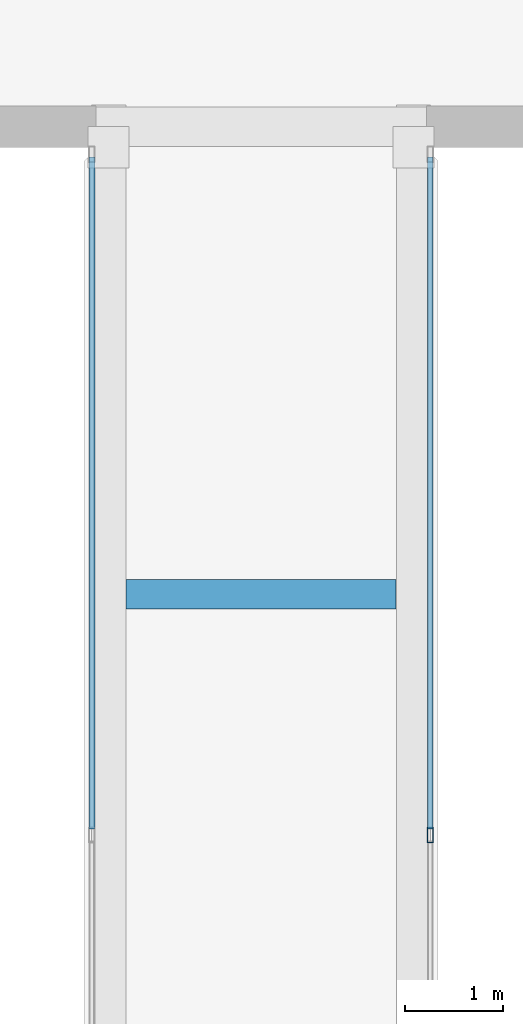
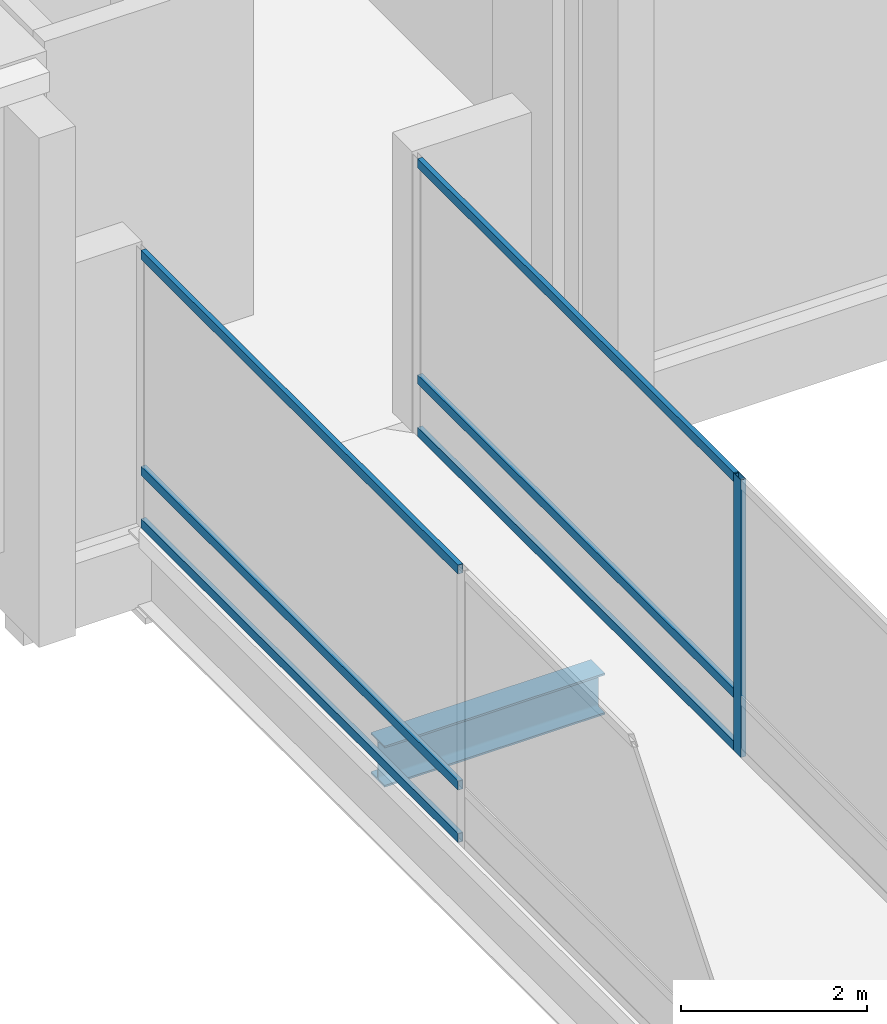
# One storey, part 29 of 220: 7 members, 1 beam, 2 elements without a shape of their own.
"""IFC4 building model written with IfcOpenShell, lengths in metres."""

from ifc_helpers import new_model, si_unit, direction, frame, origin, origin_2d, place, context, subcontext, project, spatial, hollow_rectangle, i_section, extrude, material, material_profile, profile_set, type_object, element, aggregate, save


model = new_model("IFC4")

# Units and contexts
model_context = context("Model", 3, precision=1e-05, world=origin(), true_north=direction((0.0, 1.0)))
body_context = subcontext(model_context, "Body", "Model", "MODEL_VIEW")
ifc_project = project(units=[si_unit("LENGTHUNIT", "METRE"), si_unit("AREAUNIT", "SQUARE_METRE"), si_unit("VOLUMEUNIT", "CUBIC_METRE"), si_unit("PLANEANGLEUNIT", "RADIAN"), si_unit("MASSUNIT", "GRAM", prefix="KILO")], contexts=[model_context])

# Site, building, storey
site_placement = place(None, origin())
site = spatial("IfcSite", under=ifc_project, at=site_placement, CompositionType="ELEMENT")
building_placement = place(site_placement, origin())
building = spatial("IfcBuilding", under=site, at=building_placement, Name="Cendralis Lancet Convention Centre", CompositionType="ELEMENT")
storey_placement = place(building_placement, frame((0.0, 0.0, 5.39990234375)))
storey = spatial("IfcBuildingStorey", under=building, at=storey_placement, Name="L01", CompositionType="ELEMENT", Elevation=5.39990234375)

# Curtain wall, member
ifc_material_1 = material(Name="Anodised bronze architectural aluminium", Category="aluminium")
curtain_wall_type = type_object("IfcCurtainWallType", Name="ARC-CW-BR01", PredefinedType="USERDEFINED", material=ifc_material_1)
curtain_wall_1_placement = place(storey_placement, origin())
curtain_wall_1 = element("IfcCurtainWall", 1, at=curtain_wall_1_placement, inside=storey, type_object=curtain_wall_type, Name="L01 Curtain Wall CW-BR1 #210", ObjectType="CURTAIN WALL", PredefinedType="USERDEFINED")
ifc_material_profile_1 = material_profile(ifc_material_1, hollow_rectangle(XDim=0.06005859375, YDim=0.159912109375, WallThickness=0.00390625, at=origin_2d()), Name="AL-MULL 60x160x4.0")
ifc_profile_set_1 = profile_set([ifc_material_profile_1], Name="Anodised bronze architectural aluminium")
member_type_1 = type_object("IfcMemberType", Name="ARC-CW-ML01", PredefinedType="MULLION", material=ifc_profile_set_1)
member_1_placement = place(storey_placement, frame((19.719970703125, 43.199951171875, 0.0), z_axis=(0.0, 0.0, 1.0), x_axis=(1.0, 0.0, 0.0)))
member_1 = element("IfcMember", 2, at=member_1_placement, type_object=member_type_1, Name="Mullion CW2-CW-BR1-L01-210-M1", PredefinedType="MULLION", context=body_context, shape_type="SweptSolid", body=[
    extrude(hollow_rectangle(XDim=0.06005859375, YDim=0.159912109375, WallThickness=0.00390625, at=origin_2d()), origin(), (0.0, 0.0, 1.0), 3.650146484375),
])

# Curtain wall, members
curtain_wall_2_placement = place(storey_placement, origin())
curtain_wall_2 = element("IfcCurtainWall", 3, at=curtain_wall_2_placement, inside=storey, type_object=curtain_wall_type, Name="L01 Curtain Wall CW-BR1 #209", ObjectType="CURTAIN WALL", PredefinedType="USERDEFINED")
ifc_material_profile_2 = material_profile(ifc_material_1, hollow_rectangle(XDim=0.06005859375, YDim=0.1201171875, WallThickness=0.00390625, at=origin_2d()), Name="AL-TRAN 60x120x4.0")
ifc_profile_set_2 = profile_set([ifc_material_profile_2], Name="Anodised bronze architectural aluminium")
member_type_2 = type_object("IfcMemberType", Name="ARC-CW-TR01", PredefinedType="USERDEFINED", material=ifc_profile_set_2)
member_2_placement = place(storey_placement, frame((16.280029296875, 43.260009765625, 0.06005859375), z_axis=(0.0, 1.0, 0.0), x_axis=(-1.0, 0.0, 0.0)))
member_2 = element("IfcMember", 4, at=member_2_placement, type_object=member_type_2, Name="Transom CW2-CW-BR1-L01-209-T1BOT", ObjectType="TRANSOM", PredefinedType="USERDEFINED", context=body_context, shape_type="SweptSolid", body=[
    extrude(hollow_rectangle(XDim=0.06005859375, YDim=0.1201171875, WallThickness=0.00390625, at=origin_2d()), origin(), (0.0, 0.0, 1.0), 6.830078125),
])
member_3_placement = place(storey_placement, frame((16.280029296875, 43.260009765625, 0.75), z_axis=(0.0, 1.0, 0.0), x_axis=(-1.0, 0.0, 0.0)))
member_3 = element("IfcMember", 5, at=member_3_placement, type_object=member_type_2, Name="Transom CW2-CW-BR1-L01-209-T1MID", ObjectType="TRANSOM", PredefinedType="USERDEFINED", context=body_context, shape_type="SweptSolid", body=[
    extrude(hollow_rectangle(XDim=0.06005859375, YDim=0.1201171875, WallThickness=0.00390625, at=origin_2d()), origin(), (0.0, 0.0, 1.0), 6.830078125),
])
member_4_placement = place(storey_placement, frame((16.280029296875, 43.260009765625, 3.590087890625), z_axis=(0.0, 1.0, 0.0), x_axis=(-1.0, 0.0, 0.0)))
member_4 = element("IfcMember", 6, at=member_4_placement, type_object=member_type_2, Name="Transom CW2-CW-BR1-L01-209-T1TOP", ObjectType="TRANSOM", PredefinedType="USERDEFINED", context=body_context, shape_type="SweptSolid", body=[
    extrude(hollow_rectangle(XDim=0.06005859375, YDim=0.1201171875, WallThickness=0.00390625, at=origin_2d()), origin(), (0.0, 0.0, 1.0), 6.830078125),
])
aggregate(curtain_wall_2, [member_2, member_3, member_4])

# Member
member_5_placement = place(storey_placement, frame((19.719970703125, 43.260009765625, 0.06005859375), z_axis=(0.0, 1.0, 0.0), x_axis=(-1.0, 0.0, 0.0)))
member_5 = element("IfcMember", 7, at=member_5_placement, type_object=member_type_2, Name="Transom CW2-CW-BR1-L01-210-T1BOT", ObjectType="TRANSOM", PredefinedType="USERDEFINED", context=body_context, shape_type="SweptSolid", body=[
    extrude(hollow_rectangle(XDim=0.06005859375, YDim=0.1201171875, WallThickness=0.00390625, at=origin_2d()), origin(), (0.0, 0.0, 1.0), 6.830078125),
])

member_6_placement = place(storey_placement, frame((19.719970703125, 43.260009765625, 0.75), z_axis=(0.0, 1.0, 0.0), x_axis=(-1.0, 0.0, 0.0)))
member_6 = element("IfcMember", 8, at=member_6_placement, type_object=member_type_2, Name="Transom CW2-CW-BR1-L01-210-T1MID", ObjectType="TRANSOM", PredefinedType="USERDEFINED", context=body_context, shape_type="SweptSolid", body=[
    extrude(hollow_rectangle(XDim=0.06005859375, YDim=0.1201171875, WallThickness=0.00390625, at=origin_2d()), origin(), (0.0, 0.0, 1.0), 6.830078125),
])

member_7_placement = place(storey_placement, frame((19.719970703125, 43.260009765625, 3.590087890625), z_axis=(0.0, 1.0, 0.0), x_axis=(-1.0, 0.0, 0.0)))
member_7 = element("IfcMember", 9, at=member_7_placement, type_object=member_type_2, Name="Transom CW2-CW-BR1-L01-210-T1TOP", ObjectType="TRANSOM", PredefinedType="USERDEFINED", context=body_context, shape_type="SweptSolid", body=[
    extrude(hollow_rectangle(XDim=0.06005859375, YDim=0.1201171875, WallThickness=0.00390625, at=origin_2d()), origin(), (0.0, 0.0, 1.0), 6.830078125),
])

aggregate(curtain_wall_1, [member_1, member_5, member_6, member_7])

# Beam
ifc_material_2 = material(Name="Steel S355", Category="steel")
ifc_material_profile_3 = material_profile(ifc_material_2, i_section(OverallWidth=0.300048828125, OverallDepth=0.5400390625, WebThickness=0.012451171875, FlangeThickness=0.02392578125, FilletRadius=0.027099609375, at=origin_2d()), Name="HEA 550")
ifc_profile_set_3 = profile_set([ifc_material_profile_3], Name="Steel S355")
beam_type = type_object("IfcBeamType", Name="STR-BM-SG11", PredefinedType="BEAM", material=ifc_profile_set_3)
beam_placement = place(storey_placement, frame((16.6298828125, 45.64794921875, -0.489990234375), z_axis=(1.0, 0.0, 0.0), x_axis=(0.0, 1.0, 0.0)))
element("IfcBeam", 10, at=beam_placement, inside=storey, type_object=beam_type, Name="L01 Beam SG11 #1923", PredefinedType="BEAM", context=body_context, shape_type="SweptSolid", body=[
    extrude(i_section(OverallWidth=0.300048828125, OverallDepth=0.5400390625, WebThickness=0.012451171875, FlangeThickness=0.02392578125, FilletRadius=0.027099609375, at=origin_2d()), origin(), (0.0, 0.0, 1.0), 2.740234375),
])

save(model, "model.ifc")
